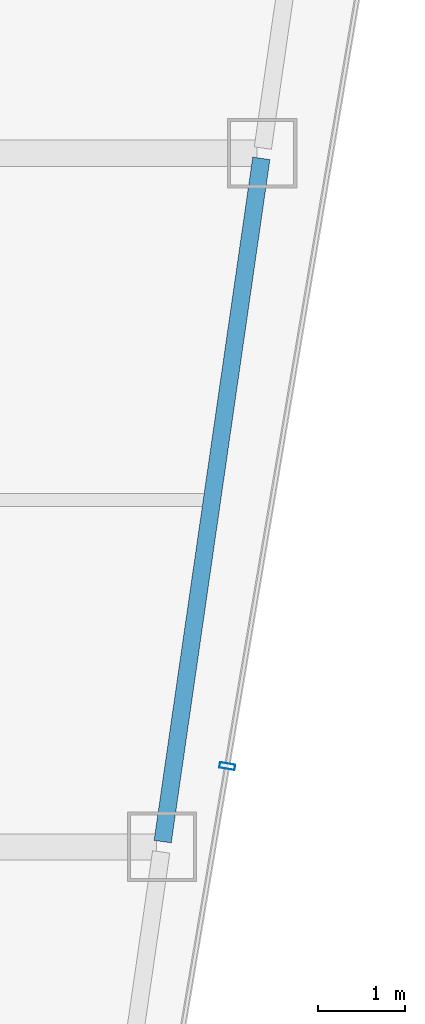
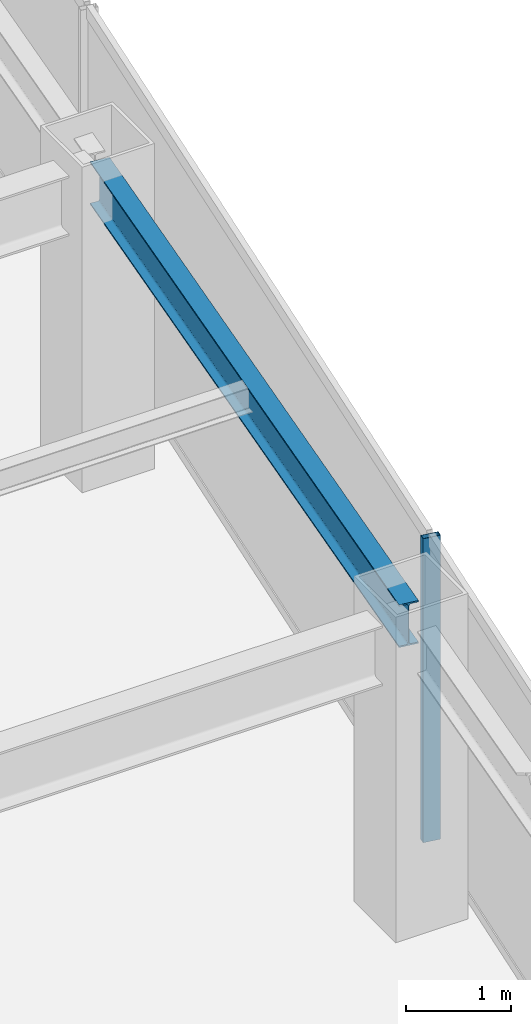
# One storey, part 20 of 35: 1 beam, 1 member, 1 element without a shape of its own.
"""IFC4 building model written with IfcOpenShell, lengths in metres."""

from ifc_helpers import new_model, si_unit, direction, frame, origin, origin_2d, place, context, subcontext, project, spatial, hollow_rectangle, i_section, extrude, material, material_profile, profile_set, type_object, element, aggregate, save


model = new_model("IFC4")

# Units and contexts
model_context = context("Model", 3, precision=1e-05, world=origin(), true_north=direction((0.0, 1.0)))
body_context = subcontext(model_context, "Body", "Model", "MODEL_VIEW")
ifc_project = project(units=[si_unit("LENGTHUNIT", "METRE"), si_unit("AREAUNIT", "SQUARE_METRE"), si_unit("VOLUMEUNIT", "CUBIC_METRE"), si_unit("PLANEANGLEUNIT", "RADIAN"), si_unit("MASSUNIT", "GRAM", prefix="KILO")], contexts=[model_context])

# Site, building, storey
site_placement = place(None, origin())
site = spatial("IfcSite", under=ifc_project, at=site_placement, CompositionType="ELEMENT")
building_placement = place(site_placement, origin())
building = spatial("IfcBuilding", under=site, at=building_placement, Name="Saevonmaru Cultural Tower", CompositionType="ELEMENT")
storey_placement = place(building_placement, frame((0.0, 0.0, 190.39990234375)))
storey = spatial("IfcBuildingStorey", under=building, at=storey_placement, Name="L43", CompositionType="ELEMENT", Elevation=190.39990234375)

# Beam
ifc_material_1 = material(Name="Steel SM355", Category="steel")
ifc_material_profile_1 = material_profile(ifc_material_1, i_section(OverallWidth=0.199951171875, OverallDepth=0.5, WebThickness=0.010009765625, FlangeThickness=0.01611328125, FilletRadius=0.02001953125, at=origin_2d()), Name="H-500x200x10x16")
ifc_profile_set_1 = profile_set([ifc_material_profile_1], Name="Steel SM355")
beam_type = type_object("IfcBeamType", Name="BM-SP-H500", PredefinedType="SPANDREL", material=ifc_profile_set_1)
beam_placement = place(storey_placement, frame((50.53662109375, 24.059326171875, 3.300048828125), z_axis=(0.142871999001, 0.989741174197, 0.0), x_axis=(-0.989741174197, 0.142871999001, 0.0)))
element("IfcBeam", 1, at=beam_placement, inside=storey, type_object=beam_type, Name="L43 East Splayed Spandrel 2", PredefinedType="SPANDREL", context=body_context, shape_type="SweptSolid", body=[
    extrude(i_section(OverallWidth=0.199951171875, OverallDepth=0.5, WebThickness=0.010009765625, FlangeThickness=0.01611328125, FilletRadius=0.02001953125, at=origin_2d()), origin(), (0.0, 0.0, 1.0), 7.963134765625),
])

# Curtain wall, member
ifc_material_2 = material(Name="Satin Bronze Anodised Aluminium", Category="aluminium")
curtain_wall_type = type_object("IfcCurtainWallType", Name="CW-TYP-B", PredefinedType="NOTDEFINED", material=ifc_material_2)
curtain_wall_placement = place(storey_placement, origin())
curtain_wall = element("IfcCurtainWall", 2, at=curtain_wall_placement, inside=storey, type_object=curtain_wall_type, Name="L43 Unitised Curtain Wall E8", PredefinedType="NOTDEFINED")
ifc_material_profile_2 = material_profile(ifc_material_2, hollow_rectangle(XDim=0.06494140625, YDim=0.179931640625, WallThickness=0.00390625, at=origin_2d()), Name="ALU-MULL-180x65x4")
ifc_profile_set_2 = profile_set([ifc_material_profile_2], Name="Satin Bronze Anodised Aluminium")
member_type = type_object("IfcMemberType", Name="ML-CW-180x65", PredefinedType="MULLION", material=ifc_profile_set_2)
member_placement = place(storey_placement, frame((51.28173828125, 24.9296875, 0.0), z_axis=(0.0, 0.0, 1.0), x_axis=(0.16692169721, 0.985970155228, 0.0)))
member = element("IfcMember", 3, at=member_placement, type_object=member_type, Name="CW-TW-L43-E8 mullion 2", PredefinedType="MULLION", context=body_context, shape_type="SweptSolid", body=[
    extrude(hollow_rectangle(XDim=0.06494140625, YDim=0.179931640625, WallThickness=0.00390625, at=origin_2d()), origin(), (0.0, 0.0, 1.0), 3.550048828125),
])
aggregate(curtain_wall, [member])

save(model, "model.ifc")
